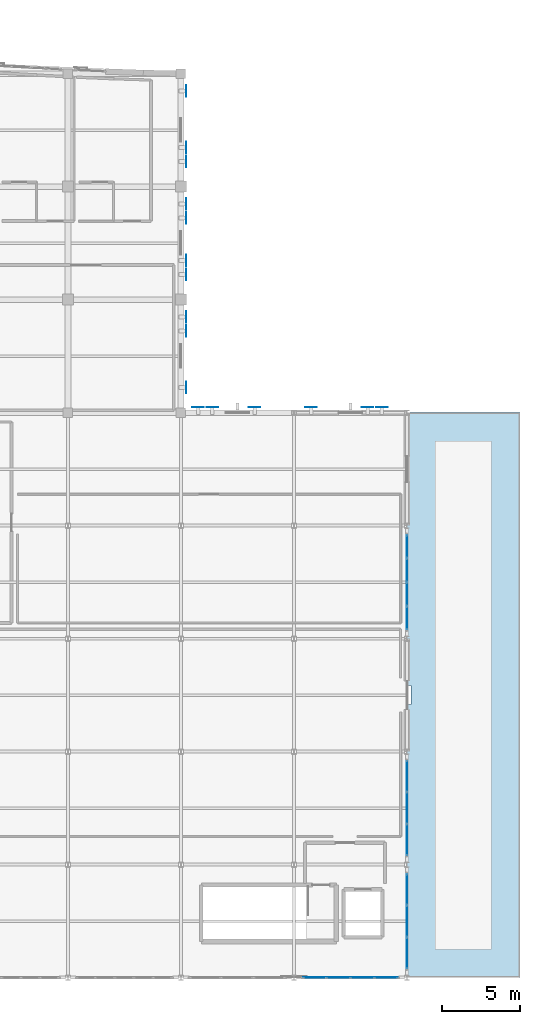
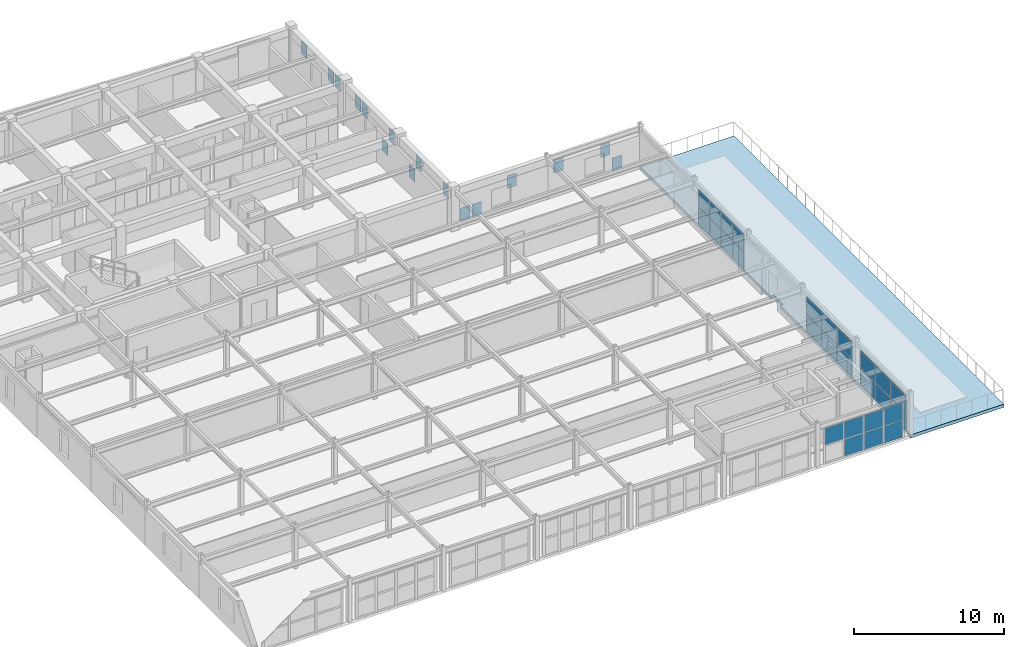
# One storey, part 56 of 73: 43 plates, 1 slab, 4 elements without a shape of their own.
"""IFC4 building model written with IfcOpenShell, lengths in metres."""

from ifc_helpers import new_model, si_unit, direction, frame, origin, origin_2d, place, context, subcontext, project, spatial, polyline, rectangle, outline, extrude, material, layer, layer_set, type_object, element, aggregate, save


model = new_model("IFC4")

# Units and contexts
model_context = context("Model", 3, precision=1e-05, world=origin(), true_north=direction((0.0, 1.0)))
body_context = subcontext(model_context, "Body", "Model", "MODEL_VIEW")
ifc_project = project(units=[si_unit("LENGTHUNIT", "METRE"), si_unit("AREAUNIT", "SQUARE_METRE"), si_unit("VOLUMEUNIT", "CUBIC_METRE"), si_unit("PLANEANGLEUNIT", "RADIAN"), si_unit("MASSUNIT", "GRAM", prefix="KILO")], contexts=[model_context])

# Site, building, storey
site_placement = place(None, origin())
site = spatial("IfcSite", under=ifc_project, at=site_placement, CompositionType="ELEMENT")
building_placement = place(site_placement, origin())
building = spatial("IfcBuilding", under=site, at=building_placement, Name="Carrowvane Square Congress Hotel", CompositionType="ELEMENT")
storey_placement = place(building_placement, frame((0.0, 0.0, 19.199951171875)))
storey = spatial("IfcBuildingStorey", under=building, at=storey_placement, Name="L04", CompositionType="ELEMENT", Elevation=19.199951171875)

# Curtain wall, plates
ifc_material_1 = material(Name="Anodised aluminium", Category="aluminium")
ifc_layer_1 = layer(ifc_material_1, 0.2099609375)
ifc_layer_set_1 = layer_set([ifc_layer_1], Name="Anodised aluminium")
curtain_wall_type_1 = type_object("IfcCurtainWallType", Name="CW-SYS-5", PredefinedType="NOTDEFINED", material=ifc_layer_set_1)
curtain_wall_1_placement = place(storey_placement, origin())
curtain_wall_1 = element("IfcCurtainWall", 1, at=curtain_wall_1_placement, inside=storey, type_object=curtain_wall_type_1, Name="L04 unitised curtain wall 300", PredefinedType="NOTDEFINED")
ifc_material_2 = material(Name="Double-glazed low-E glass", Category="glass")
ifc_layer_2 = layer(ifc_material_2, 0.028076171875)
ifc_layer_set_2 = layer_set([ifc_layer_2], Name="Double-glazed low-E glass")
plate_type_1 = type_object("IfcPlateType", Name="CW-PAN-1", PredefinedType="CURTAIN_PANEL", material=ifc_layer_set_2)
plate_1_placement = place(storey_placement, frame((175.8798828125, 55.800048828125, 0.06005859375), z_axis=(0.0, 0.0, 1.0), x_axis=(-1.0, 0.0, 0.0)))
plate_1 = element("IfcPlate", 2, at=plate_1_placement, type_object=plate_type_1, Name="CW-5 panel 1.1", PredefinedType="CURTAIN_PANEL", context=body_context, shape_type="SweptSolid", body=[
    extrude(rectangle(XDim=1.43994140625, YDim=0.028076171875, at=origin_2d()), origin(), (0.0, 0.0, 1.0), 1.372802734375),
])
plate_2_placement = place(storey_placement, frame((175.8798828125, 55.800048828125, 1.49267578125), z_axis=(0.0, 0.0, 1.0), x_axis=(-1.0, 0.0, 0.0)))
plate_2 = element("IfcPlate", 3, at=plate_2_placement, type_object=plate_type_1, Name="CW-5 panel 1.2", PredefinedType="CURTAIN_PANEL", context=body_context, shape_type="SweptSolid", body=[
    extrude(rectangle(XDim=1.43994140625, YDim=0.028076171875, at=origin_2d()), origin(), (0.0, 0.0, 1.0), 1.372802734375),
])
plate_3_placement = place(storey_placement, frame((174.364990234375, 55.800048828125, 0.06005859375), z_axis=(0.0, 0.0, 1.0), x_axis=(-1.0, 0.0, 0.0)))
plate_3 = element("IfcPlate", 4, at=plate_3_placement, type_object=plate_type_1, Name="CW-5 panel 2.1", PredefinedType="CURTAIN_PANEL", context=body_context, shape_type="SweptSolid", body=[
    extrude(rectangle(XDim=1.469970703125, YDim=0.028076171875, at=origin_2d()), origin(), (0.0, 0.0, 1.0), 1.372802734375),
])
plate_4_placement = place(storey_placement, frame((174.364990234375, 55.800048828125, 1.49267578125), z_axis=(0.0, 0.0, 1.0), x_axis=(-1.0, 0.0, 0.0)))
plate_4 = element("IfcPlate", 5, at=plate_4_placement, type_object=plate_type_1, Name="CW-5 panel 2.2", PredefinedType="CURTAIN_PANEL", context=body_context, shape_type="SweptSolid", body=[
    extrude(rectangle(XDim=1.469970703125, YDim=0.028076171875, at=origin_2d()), origin(), (0.0, 0.0, 1.0), 1.372802734375),
])
plate_5_placement = place(storey_placement, frame((172.8349609375, 55.800048828125, 0.06005859375), z_axis=(0.0, 0.0, 1.0), x_axis=(-1.0, 0.0, 0.0)))
plate_5 = element("IfcPlate", 6, at=plate_5_placement, type_object=plate_type_1, Name="CW-5 panel 3.1", PredefinedType="CURTAIN_PANEL", context=body_context, shape_type="SweptSolid", body=[
    extrude(rectangle(XDim=1.469970703125, YDim=0.028076171875, at=origin_2d()), origin(), (0.0, 0.0, 1.0), 1.372802734375),
])
plate_6_placement = place(storey_placement, frame((172.8349609375, 55.800048828125, 1.49267578125), z_axis=(0.0, 0.0, 1.0), x_axis=(-1.0, 0.0, 0.0)))
plate_6 = element("IfcPlate", 7, at=plate_6_placement, type_object=plate_type_1, Name="CW-5 panel 3.2", PredefinedType="CURTAIN_PANEL", context=body_context, shape_type="SweptSolid", body=[
    extrude(rectangle(XDim=1.469970703125, YDim=0.028076171875, at=origin_2d()), origin(), (0.0, 0.0, 1.0), 1.372802734375),
])
plate_7_placement = place(storey_placement, frame((171.320068359375, 55.800048828125, 1.49267578125), z_axis=(0.0, 0.0, 1.0), x_axis=(-1.0, 0.0, 0.0)))
plate_7 = element("IfcPlate", 8, at=plate_7_placement, type_object=plate_type_1, Name="CW-5 panel 4.2", PredefinedType="CURTAIN_PANEL", context=body_context, shape_type="SweptSolid", body=[
    extrude(rectangle(XDim=1.43994140625, YDim=0.028076171875, at=origin_2d()), origin(), (0.0, 0.0, 1.0), 1.372802734375),
])
aggregate(curtain_wall_1, [plate_1, plate_2, plate_3, plate_4, plate_5, plate_6, plate_7])

ifc_material_3 = material(Name="Anodised aluminium", Category="aluminium")
ifc_layer_3 = layer(ifc_material_3, 0.174072265625)
ifc_layer_set_3 = layer_set([ifc_layer_3], Name="Anodised aluminium")
curtain_wall_type_2 = type_object("IfcCurtainWallType", Name="CW-SYS-2", PredefinedType="NOTDEFINED", material=ifc_layer_set_3)
curtain_wall_2_placement = place(storey_placement, origin())
curtain_wall_2 = element("IfcCurtainWall", 9, at=curtain_wall_2_placement, inside=storey, type_object=curtain_wall_type_2, Name="L04 unitised curtain wall 297", PredefinedType="NOTDEFINED")
ifc_material_4 = material(Name="Double-glazed low-E glass", Category="glass")
ifc_layer_4 = layer(ifc_material_4, 0.035888671875)
ifc_layer_set_4 = layer_set([ifc_layer_4], Name="Double-glazed low-E glass")
plate_type_2 = type_object("IfcPlateType", Name="CW-PAN-3", PredefinedType="CURTAIN_PANEL", material=ifc_layer_set_4)
plate_8_placement = place(storey_placement, frame((177.199951171875, 83.277587890625, 0.070068359375), z_axis=(0.0, 0.0, 1.0), x_axis=(0.0, -1.0, 0.0)))
plate_8 = element("IfcPlate", 10, at=plate_8_placement, type_object=plate_type_2, Name="CW-2 panel 1.1", PredefinedType="CURTAIN_PANEL", context=body_context, shape_type="SweptSolid", body=[
    extrude(rectangle(XDim=1.425048828125, YDim=0.035888671875, at=origin_2d()), origin(), (0.0, 0.0, 1.0), 1.35791015625),
])
plate_9_placement = place(storey_placement, frame((177.199951171875, 83.277587890625, 1.497802734375), z_axis=(0.0, 0.0, 1.0), x_axis=(0.0, -1.0, 0.0)))
plate_9 = element("IfcPlate", 11, at=plate_9_placement, type_object=plate_type_2, Name="CW-2 panel 1.2", PredefinedType="CURTAIN_PANEL", context=body_context, shape_type="SweptSolid", body=[
    extrude(rectangle(XDim=1.425048828125, YDim=0.035888671875, at=origin_2d()), origin(), (0.0, 0.0, 1.0), 1.35791015625),
])
plate_10_placement = place(storey_placement, frame((177.199951171875, 81.764892578125, 0.070068359375), z_axis=(0.0, 0.0, 1.0), x_axis=(0.0, -1.0, 0.0)))
plate_10 = element("IfcPlate", 12, at=plate_10_placement, type_object=plate_type_2, Name="CW-2 panel 2.1", PredefinedType="CURTAIN_PANEL", context=body_context, shape_type="SweptSolid", body=[
    extrude(rectangle(XDim=1.4599609375, YDim=0.035888671875, at=origin_2d()), origin(), (0.0, 0.0, 1.0), 1.35791015625),
])
plate_11_placement = place(storey_placement, frame((177.199951171875, 81.764892578125, 1.497802734375), z_axis=(0.0, 0.0, 1.0), x_axis=(0.0, -1.0, 0.0)))
plate_11 = element("IfcPlate", 13, at=plate_11_placement, type_object=plate_type_2, Name="CW-2 panel 2.2", PredefinedType="CURTAIN_PANEL", context=body_context, shape_type="SweptSolid", body=[
    extrude(rectangle(XDim=1.4599609375, YDim=0.035888671875, at=origin_2d()), origin(), (0.0, 0.0, 1.0), 1.35791015625),
])
plate_12_placement = place(storey_placement, frame((177.199951171875, 80.235107421875, 0.070068359375), z_axis=(0.0, 0.0, 1.0), x_axis=(0.0, -1.0, 0.0)))
plate_12 = element("IfcPlate", 14, at=plate_12_placement, type_object=plate_type_2, Name="CW-2 panel 3.1", PredefinedType="CURTAIN_PANEL", context=body_context, shape_type="SweptSolid", body=[
    extrude(rectangle(XDim=1.4599609375, YDim=0.035888671875, at=origin_2d()), origin(), (0.0, 0.0, 1.0), 1.35791015625),
])
plate_13_placement = place(storey_placement, frame((177.199951171875, 80.235107421875, 1.497802734375), z_axis=(0.0, 0.0, 1.0), x_axis=(0.0, -1.0, 0.0)))
plate_13 = element("IfcPlate", 15, at=plate_13_placement, type_object=plate_type_2, Name="CW-2 panel 3.2", PredefinedType="CURTAIN_PANEL", context=body_context, shape_type="SweptSolid", body=[
    extrude(rectangle(XDim=1.4599609375, YDim=0.035888671875, at=origin_2d()), origin(), (0.0, 0.0, 1.0), 1.35791015625),
])
plate_14_placement = place(storey_placement, frame((177.199951171875, 78.722412109375, 0.070068359375), z_axis=(0.0, 0.0, 1.0), x_axis=(0.0, -1.0, 0.0)))
plate_14 = element("IfcPlate", 16, at=plate_14_placement, type_object=plate_type_2, Name="CW-2 panel 4.1", PredefinedType="CURTAIN_PANEL", context=body_context, shape_type="SweptSolid", body=[
    extrude(rectangle(XDim=1.425048828125, YDim=0.035888671875, at=origin_2d()), origin(), (0.0, 0.0, 1.0), 1.35791015625),
])
plate_15_placement = place(storey_placement, frame((177.199951171875, 78.722412109375, 1.497802734375), z_axis=(0.0, 0.0, 1.0), x_axis=(0.0, -1.0, 0.0)))
plate_15 = element("IfcPlate", 17, at=plate_15_placement, type_object=plate_type_2, Name="CW-2 panel 4.2", PredefinedType="CURTAIN_PANEL", context=body_context, shape_type="SweptSolid", body=[
    extrude(rectangle(XDim=1.425048828125, YDim=0.035888671875, at=origin_2d()), origin(), (0.0, 0.0, 1.0), 1.35791015625),
])
aggregate(curtain_wall_2, [plate_8, plate_9, plate_10, plate_11, plate_12, plate_13, plate_14, plate_15])

ifc_material_5 = material(Name="Anodised aluminium", Category="aluminium")
ifc_layer_5 = layer(ifc_material_5, 0.18603515625)
ifc_layer_set_5 = layer_set([ifc_layer_5], Name="Anodised aluminium")
curtain_wall_type_3 = type_object("IfcCurtainWallType", Name="CW-SYS-3", PredefinedType="NOTDEFINED", material=ifc_layer_set_5)
curtain_wall_3_placement = place(storey_placement, origin())
curtain_wall_3 = element("IfcCurtainWall", 18, at=curtain_wall_3_placement, inside=storey, type_object=curtain_wall_type_3, Name="L04 unitised curtain wall 298", PredefinedType="NOTDEFINED")
ifc_material_6 = material(Name="Double-glazed low-E glass", Category="glass")
ifc_layer_6 = layer(ifc_material_6, 0.0419921875)
ifc_layer_set_6 = layer_set([ifc_layer_6], Name="Double-glazed low-E glass")
plate_type_3 = type_object("IfcPlateType", Name="CW-PAN-4", PredefinedType="CURTAIN_PANEL", material=ifc_layer_set_6)
plate_16_placement = place(storey_placement, frame((177.199951171875, 68.625, 0.06005859375), z_axis=(0.0, 0.0, 1.0), x_axis=(0.0, -1.0, 0.0)))
plate_16 = element("IfcPlate", 19, at=plate_16_placement, type_object=plate_type_3, Name="CW-3 panel 1.1", PredefinedType="CURTAIN_PANEL", context=body_context, shape_type="SweptSolid", body=[
    extrude(rectangle(XDim=1.949951171875, YDim=0.0419921875, at=origin_2d()), origin(), (0.0, 0.0, 1.0), 1.372802734375),
])
plate_17_placement = place(storey_placement, frame((177.199951171875, 68.625, 1.49267578125), z_axis=(0.0, 0.0, 1.0), x_axis=(0.0, -1.0, 0.0)))
plate_17 = element("IfcPlate", 20, at=plate_17_placement, type_object=plate_type_3, Name="CW-3 panel 1.2", PredefinedType="CURTAIN_PANEL", context=body_context, shape_type="SweptSolid", body=[
    extrude(rectangle(XDim=1.949951171875, YDim=0.0419921875, at=origin_2d()), origin(), (0.0, 0.0, 1.0), 1.372802734375),
])
plate_18_placement = place(storey_placement, frame((177.199951171875, 66.60009765625, 0.06005859375), z_axis=(0.0, 0.0, 1.0), x_axis=(0.0, -1.0, 0.0)))
plate_18 = element("IfcPlate", 21, at=plate_18_placement, type_object=plate_type_3, Name="CW-3 panel 2.1", PredefinedType="CURTAIN_PANEL", context=body_context, shape_type="SweptSolid", body=[
    extrude(rectangle(XDim=1.97998046875, YDim=0.0419921875, at=origin_2d()), origin(), (0.0, 0.0, 1.0), 1.372802734375),
])
plate_19_placement = place(storey_placement, frame((177.199951171875, 66.60009765625, 1.49267578125), z_axis=(0.0, 0.0, 1.0), x_axis=(0.0, -1.0, 0.0)))
plate_19 = element("IfcPlate", 22, at=plate_19_placement, type_object=plate_type_3, Name="CW-3 panel 2.2", PredefinedType="CURTAIN_PANEL", context=body_context, shape_type="SweptSolid", body=[
    extrude(rectangle(XDim=1.97998046875, YDim=0.0419921875, at=origin_2d()), origin(), (0.0, 0.0, 1.0), 1.372802734375),
])
plate_20_placement = place(storey_placement, frame((177.199951171875, 64.574951171875, 0.06005859375), z_axis=(0.0, 0.0, 1.0), x_axis=(0.0, -1.0, 0.0)))
plate_20 = element("IfcPlate", 23, at=plate_20_placement, type_object=plate_type_3, Name="CW-3 panel 3.1", PredefinedType="CURTAIN_PANEL", context=body_context, shape_type="SweptSolid", body=[
    extrude(rectangle(XDim=1.949951171875, YDim=0.0419921875, at=origin_2d()), origin(), (0.0, 0.0, 1.0), 1.372802734375),
])
plate_21_placement = place(storey_placement, frame((177.199951171875, 64.574951171875, 1.49267578125), z_axis=(0.0, 0.0, 1.0), x_axis=(0.0, -1.0, 0.0)))
plate_21 = element("IfcPlate", 24, at=plate_21_placement, type_object=plate_type_3, Name="CW-3 panel 3.2", PredefinedType="CURTAIN_PANEL", context=body_context, shape_type="SweptSolid", body=[
    extrude(rectangle(XDim=1.949951171875, YDim=0.0419921875, at=origin_2d()), origin(), (0.0, 0.0, 1.0), 1.372802734375),
])
aggregate(curtain_wall_3, [plate_16, plate_17, plate_18, plate_19, plate_20, plate_21])

ifc_material_7 = material(Name="Anodised aluminium", Category="aluminium")
ifc_layer_7 = layer(ifc_material_7, 0.197998046875)
ifc_layer_set_7 = layer_set([ifc_layer_7], Name="Anodised aluminium")
curtain_wall_type_4 = type_object("IfcCurtainWallType", Name="CW-SYS-4", PredefinedType="NOTDEFINED", material=ifc_layer_set_7)
curtain_wall_4_placement = place(storey_placement, origin())
curtain_wall_4 = element("IfcCurtainWall", 25, at=curtain_wall_4_placement, inside=storey, type_object=curtain_wall_type_4, Name="L04 unitised curtain wall 299", PredefinedType="NOTDEFINED")
ifc_material_8 = material(Name="Double-glazed low-E glass", Category="glass")
ifc_layer_8 = layer(ifc_material_8, 0.048095703125)
ifc_layer_set_8 = layer_set([ifc_layer_8], Name="Double-glazed low-E glass")
plate_type_4 = type_object("IfcPlateType", Name="CW-PAN-5", PredefinedType="CURTAIN_PANEL", material=ifc_layer_set_8)
plate_22_placement = place(storey_placement, frame((177.199951171875, 61.422607421875, 0.070068359375), z_axis=(0.0, 0.0, 1.0), x_axis=(0.0, -1.0, 0.0)))
plate_22 = element("IfcPlate", 26, at=plate_22_placement, type_object=plate_type_4, Name="CW-4 panel 1.1", PredefinedType="CURTAIN_PANEL", context=body_context, shape_type="SweptSolid", body=[
    extrude(rectangle(XDim=1.93505859375, YDim=0.048095703125, at=origin_2d()), origin(), (0.0, 0.0, 1.0), 1.35791015625),
])
plate_23_placement = place(storey_placement, frame((177.199951171875, 61.422607421875, 1.497802734375), z_axis=(0.0, 0.0, 1.0), x_axis=(0.0, -1.0, 0.0)))
plate_23 = element("IfcPlate", 27, at=plate_23_placement, type_object=plate_type_4, Name="CW-4 panel 1.2", PredefinedType="CURTAIN_PANEL", context=body_context, shape_type="SweptSolid", body=[
    extrude(rectangle(XDim=1.93505859375, YDim=0.048095703125, at=origin_2d()), origin(), (0.0, 0.0, 1.0), 1.35791015625),
])
plate_24_placement = place(storey_placement, frame((177.199951171875, 59.39990234375, 0.070068359375), z_axis=(0.0, 0.0, 1.0), x_axis=(0.0, -1.0, 0.0)))
plate_24 = element("IfcPlate", 28, at=plate_24_placement, type_object=plate_type_4, Name="CW-4 panel 2.1", PredefinedType="CURTAIN_PANEL", context=body_context, shape_type="SweptSolid", body=[
    extrude(rectangle(XDim=1.969970703125, YDim=0.048095703125, at=origin_2d()), origin(), (0.0, 0.0, 1.0), 1.35791015625),
])
plate_25_placement = place(storey_placement, frame((177.199951171875, 59.39990234375, 1.497802734375), z_axis=(0.0, 0.0, 1.0), x_axis=(0.0, -1.0, 0.0)))
plate_25 = element("IfcPlate", 29, at=plate_25_placement, type_object=plate_type_4, Name="CW-4 panel 2.2", PredefinedType="CURTAIN_PANEL", context=body_context, shape_type="SweptSolid", body=[
    extrude(rectangle(XDim=1.969970703125, YDim=0.048095703125, at=origin_2d()), origin(), (0.0, 0.0, 1.0), 1.35791015625),
])
plate_26_placement = place(storey_placement, frame((177.199951171875, 57.37744140625, 0.070068359375), z_axis=(0.0, 0.0, 1.0), x_axis=(0.0, -1.0, 0.0)))
plate_26 = element("IfcPlate", 30, at=plate_26_placement, type_object=plate_type_4, Name="CW-4 panel 3.1", PredefinedType="CURTAIN_PANEL", context=body_context, shape_type="SweptSolid", body=[
    extrude(rectangle(XDim=1.93505859375, YDim=0.048095703125, at=origin_2d()), origin(), (0.0, 0.0, 1.0), 1.35791015625),
])
plate_27_placement = place(storey_placement, frame((177.199951171875, 57.37744140625, 1.497802734375), z_axis=(0.0, 0.0, 1.0), x_axis=(0.0, -1.0, 0.0)))
plate_27 = element("IfcPlate", 31, at=plate_27_placement, type_object=plate_type_4, Name="CW-4 panel 3.2", PredefinedType="CURTAIN_PANEL", context=body_context, shape_type="SweptSolid", body=[
    extrude(rectangle(XDim=1.93505859375, YDim=0.048095703125, at=origin_2d()), origin(), (0.0, 0.0, 1.0), 1.35791015625),
])
aggregate(curtain_wall_4, [plate_22, plate_23, plate_24, plate_25, plate_26, plate_27])

# Plates
ifc_material_9 = material(Name="Champagne-gold anodised aluminium", Category="aluminium")
ifc_layer_9 = layer(ifc_material_9, 0.011962890625)
ifc_layer_set_9 = layer_set([ifc_layer_9], Name="Champagne-gold anodised aluminium")
plate_type_5 = type_object("IfcPlateType", Name="PLT-PIX-GOLD12", PredefinedType="SHEET", material=ifc_layer_set_9)
for number, where, z_axis, x_axis, name in (
    (32, (163.14599609375, 105.10009765625, 1.51025390625), (0.0, 0.0, 1.0), (0.0, -1.0, 0.0), "Champagne-gold pixel screen plate S-352"),
    (33, (163.14599609375, 104.199951171875, 1.51025390625), (0.0, 0.0, 1.0), (0.0, -1.0, 0.0), "Champagne-gold pixel screen plate S-353"),
    (34, (163.14599609375, 101.5, 0.15478515625), (0.0, 0.0, 1.0), (0.0, -1.0, 0.0), "Champagne-gold pixel screen plate S-354"),
    (35, (163.14599609375, 100.60009765625, 1.51025390625), (0.0, 0.0, 1.0), (0.0, -1.0, 0.0), "Champagne-gold pixel screen plate S-355"),
    (36, (163.89990234375, 92.14599609375, 0.15478515625), (0.0, 0.0, 1.0), (1.0, 0.0, 0.0), "Champagne-gold pixel screen plate S-359"),
    (37, (164.800048828125, 92.14599609375, 0.15478515625), (0.0, 0.0, 1.0), (1.0, 0.0, 0.0), "Champagne-gold pixel screen plate S-360"),
    (38, (167.5, 92.14599609375, 1.52490234375), (0.0, 0.0, 1.0), (1.0, 0.0, 0.0), "Champagne-gold pixel screen plate S-361"),
):
    element("IfcPlate", number, at=place(storey_placement, frame(where, z_axis=z_axis, x_axis=x_axis)), inside=storey, type_object=plate_type_5, Name=name, PredefinedType="SHEET", context=body_context, shape_type="SweptSolid", body=[
        extrude(rectangle(XDim=0.738037109375, YDim=0.011962890625, at=origin_2d()), origin(), (0.0, 0.0, 1.0), 1.050048828125),
    ])
ifc_material_10 = material(Name="Champagne-gold anodised aluminium", Category="aluminium")
ifc_layer_10 = layer(ifc_material_10, 0.008056640625)
ifc_layer_set_10 = layer_set([ifc_layer_10], Name="Champagne-gold anodised aluminium")
plate_type_6 = type_object("IfcPlateType", Name="PLT-PIX-GOLD8", PredefinedType="SHEET", material=ifc_layer_set_10)
for number, where, z_axis, x_axis, name in (
    (39, (163.14404296875, 112.300048828125, 1.51025390625), (0.0, 0.0, 1.0), (0.0, -1.0, 0.0), "Champagne-gold pixel screen plate S-349"),
    (40, (163.14404296875, 108.699951171875, 1.51025390625), (0.0, 0.0, 1.0), (0.0, -1.0, 0.0), "Champagne-gold pixel screen plate S-350"),
    (41, (163.14404296875, 107.800048828125, 1.51025390625), (0.0, 0.0, 1.0), (0.0, -1.0, 0.0), "Champagne-gold pixel screen plate S-351"),
    (42, (163.14404296875, 97.89990234375, 0.15478515625), (0.0, 0.0, 1.0), (0.0, -1.0, 0.0), "Champagne-gold pixel screen plate S-356"),
    (43, (163.14404296875, 97.0, 1.51025390625), (0.0, 0.0, 1.0), (0.0, -1.0, 0.0), "Champagne-gold pixel screen plate S-357"),
    (44, (163.14404296875, 93.39990234375, 1.51025390625), (0.0, 0.0, 1.0), (0.0, -1.0, 0.0), "Champagne-gold pixel screen plate S-358"),
    (45, (171.10009765625, 92.14404296875, 1.52490234375), (0.0, 0.0, 1.0), (1.0, 0.0, 0.0), "Champagne-gold pixel screen plate S-362"),
    (46, (174.699951171875, 92.14404296875, 1.52490234375), (0.0, 0.0, 1.0), (1.0, 0.0, 0.0), "Champagne-gold pixel screen plate S-363"),
    (47, (175.60009765625, 92.14404296875, 0.15478515625), (0.0, 0.0, 1.0), (1.0, 0.0, 0.0), "Champagne-gold pixel screen plate S-364"),
):
    element("IfcPlate", number, at=place(storey_placement, frame(where, z_axis=z_axis, x_axis=x_axis)), inside=storey, type_object=plate_type_6, Name=name, PredefinedType="SHEET", context=body_context, shape_type="SweptSolid", body=[
        extrude(rectangle(XDim=0.738037109375, YDim=0.008056640625, at=origin_2d()), origin(), (0.0, 0.0, 1.0), 1.050048828125),
    ])

# Slab
ifc_material_11 = material(Name="Concrete C35/45", Category="concrete")
ifc_layer_11 = layer(ifc_material_11, 0.260009765625)
ifc_layer_set_11 = layer_set([ifc_layer_11], Name="Concrete C35/45")
slab_type = type_object("IfcSlabType", Name="SLB-TER-260", PredefinedType="FLOOR", material=ifc_layer_set_11)
slab_placement = place(storey_placement, frame((0.0, 0.0, -0.260009765625)))
element("IfcSlab", 48, at=slab_placement, inside=storey, type_object=slab_type, Name="L04 Delegates Roof Garden", PredefinedType="FLOOR", context=body_context, shape_type="SweptSolid", body=[
    extrude(outline(polyline([(177.199951171875, 55.800048828125), (184.39990234375, 55.800048828125), (184.39990234375, 91.800048828125), (177.199951171875, 91.800048828125), (177.199951171875, 74.39990234375), (177.449951171875, 74.39990234375), (177.449951171875, 73.199951171875), (177.199951171875, 73.199951171875), (177.199951171875, 55.800048828125)])), origin(), (0.0, 0.0, 1.0), 0.260009765625),
])

save(model, "model.ifc")
